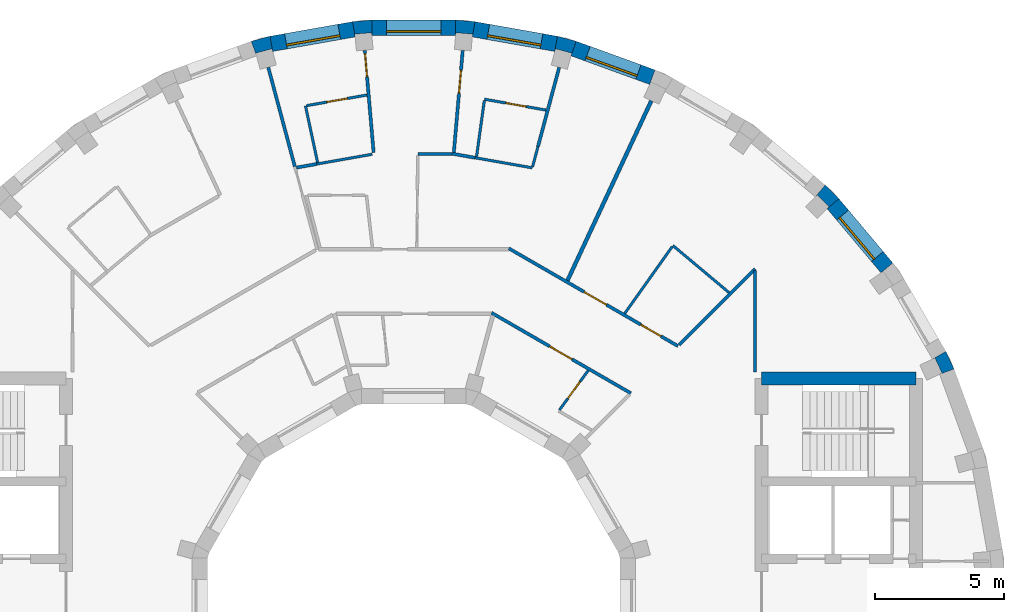
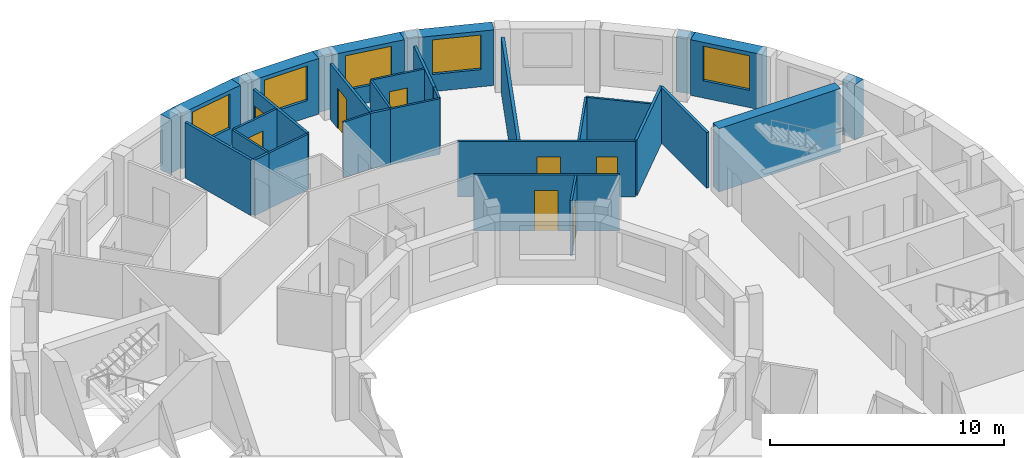
# One storey, part 10 of 12: 34 walls, 8 doors, 5 windows, 13 openings.
"""IFC4 building model written with IfcOpenShell, lengths in metres."""

from ifc_helpers import new_model, si_unit, direction, frame, frame_2d, origin, place, context, subcontext, project, spatial, polyline, rectangle, outline, extrude, material, layer, layer_set, type_object, element, fill, save


model = new_model("IFC4")

# Units and contexts
model_context = context("Model", 3, precision=1e-05, world=origin(), true_north=direction((0.0, 1.0)))
body_context = subcontext(model_context, "Body", "Model", "MODEL_VIEW")
ifc_project = project(units=[si_unit("LENGTHUNIT", "METRE"), si_unit("AREAUNIT", "SQUARE_METRE"), si_unit("VOLUMEUNIT", "CUBIC_METRE"), si_unit("PLANEANGLEUNIT", "RADIAN"), si_unit("MASSUNIT", "GRAM", prefix="KILO")], contexts=[model_context])

# Site, building, storey
site_placement = place(None, origin())
site = spatial("IfcSite", under=ifc_project, at=site_placement, CompositionType="ELEMENT")
building_placement = place(site_placement, origin())
building = spatial("IfcBuilding", under=site, at=building_placement, Name="Saqina Gate Tower", CompositionType="ELEMENT")
storey_placement = place(building_placement, frame((0.0, 0.0, 269.300048828125)))
storey = spatial("IfcBuildingStorey", under=building, at=storey_placement, Name="L77", CompositionType="ELEMENT", Elevation=269.300048828125)

# Walls
ifc_material_1 = material(Name="Brick masonry (buff)", Category="masonry")
wall_type_1 = type_object("IfcWallType", Name="BRICK PIER COPING BUFF", PredefinedType="SOLIDWALL", material=ifc_material_1)
wall_1_placement = place(storey_placement, origin())
element("IfcWall", 1, at=wall_1_placement, inside=storey, type_object=wall_type_1, Name="Pier cap L77 column 3", PredefinedType="SOLIDWALL", context=body_context, shape_type="SweptSolid", body=[
    extrude(outline(polyline([(20.974609375, 9.3642578125), (20.65576171875, 10.048095703125), (20.135986328125, 9.748291015625), (20.23193359375, 9.79296875), (20.506591796875, 9.203857421875), (20.410888671875, 9.1591796875), (20.974609375, 9.3642578125)])), origin(), (0.0, 0.0, 1.0), 2.89990234375),
])
wall_2_placement = place(storey_placement, origin())
element("IfcWall", 2, at=wall_2_placement, inside=storey, type_object=wall_type_1, Name="Pier cap L77 column 5", PredefinedType="SOLIDWALL", context=body_context, shape_type="SweptSolid", body=[
    extrude(outline(polyline([(15.973388671875, 16.5068359375), (15.587646484375, 16.04736328125), (15.662353515625, 16.1220703125), (16.1220703125, 15.662353515625), (16.04736328125, 15.587646484375), (16.5068359375, 15.973388671875), (15.973388671875, 16.5068359375)])), origin(), (0.0, 0.0, 1.0), 2.89990234375),
])
wall_3_placement = place(storey_placement, origin())
element("IfcWall", 3, at=wall_3_placement, inside=storey, type_object=wall_type_1, Name="Pier cap L77 column 8", PredefinedType="SOLIDWALL", context=body_context, shape_type="SweptSolid", body=[
    extrude(outline(polyline([(5.579833984375, 22.281982421875), (5.4755859375, 21.691162109375), (5.5029296875, 21.793212890625), (6.130859375, 21.625), (6.103515625, 21.52294921875), (6.30859375, 22.0869140625), (5.579833984375, 22.281982421875)])), origin(), (0.0, 0.0, 1.0), 2.89990234375),
])
wall_4_placement = place(storey_placement, origin())
element("IfcWall", 4, at=wall_4_placement, inside=storey, type_object=wall_type_1, Name="Pier cap L77 column 9", PredefinedType="SOLIDWALL", context=body_context, shape_type="SweptSolid", body=[
    extrude(outline(polyline([(2.377685546875, 22.8466796875), (1.625732421875, 22.91259765625), (1.625732421875, 22.3125), (1.635009765625, 22.417724609375), (2.28271484375, 22.361083984375), (2.2734375, 22.255859375), (2.377685546875, 22.8466796875)])), origin(), (0.0, 0.0, 1.0), 2.89990234375),
])
wall_5_placement = place(storey_placement, origin())
element("IfcWall", 5, at=wall_5_placement, inside=storey, type_object=wall_type_1, Name="Pier cap L77 column 10", PredefinedType="SOLIDWALL", context=body_context, shape_type="SweptSolid", body=[
    extrude(outline(polyline([(-1.625732421875, 22.91259765625), (-2.377685546875, 22.8466796875), (-2.2734375, 22.255859375), (-2.28271484375, 22.361083984375), (-1.635009765625, 22.417724609375), (-1.625732421875, 22.3125), (-1.625732421875, 22.91259765625)])), origin(), (0.0, 0.0, 1.0), 2.89990234375),
])
wall_6_placement = place(storey_placement, origin())
element("IfcWall", 6, at=wall_6_placement, inside=storey, type_object=wall_type_1, Name="Pier cap L77 column 11", PredefinedType="SOLIDWALL", context=body_context, shape_type="SweptSolid", body=[
    extrude(outline(polyline([(-6.30859375, 22.0869140625), (-6.103515625, 21.52294921875), (-6.130859375, 21.625), (-5.5029296875, 21.793212890625), (-5.4755859375, 21.691162109375), (-5.579833984375, 22.281982421875), (-6.30859375, 22.0869140625)])), origin(), (0.0, 0.0, 1.0), 2.89990234375),
])

# Wall, opening, window
ifc_material_2 = material(Name="Brick masonry (buff)", Category="masonry")
ifc_layer_1 = layer(ifc_material_2, 0.60009765625)
ifc_layer_set_1 = layer_set([ifc_layer_1], Name="FW-BRICK-BUFF")
wall_type_2 = type_object("IfcWallType", Name="FW-BRICK-BUFF", PredefinedType="SOLIDWALL", material=ifc_layer_set_1)
wall_7_placement = place(storey_placement, frame((18.3671875, 13.28955078125, 0.0), z_axis=(0.0, 0.0, 1.0), x_axis=(-0.64277291405, 0.766056773982, 0.0)))
wall_7 = element("IfcWall", 7, at=wall_7_placement, inside=storey, type_object=wall_type_2, Name="Facade wall L77 facet 4", PredefinedType="SOLIDWALL", context=body_context, shape_type="SweptSolid", body=[
    extrude(rectangle(XDim=3.251708984375, YDim=0.60009765625, at=frame_2d((1.6259765625, 0.0))), origin(), (0.0, 0.0, 1.0), 2.89990234375),
])
opening_1_placement = place(wall_7_placement, frame((0.57568359375, 0.0, 0.89990234375)))
opening_1 = element("IfcOpeningElement", 8, at=opening_1_placement, cuts=wall_7, Name="Opening G23-W02", PredefinedType="OPENING", context=body_context, shape_type="SweptSolid", body=[
    extrude(rectangle(XDim=2.10009765625, YDim=1.800048828125, at=frame_2d((1.050048828125, 0.89990234375))), frame((0.0, 0.31201171875, 0.0), z_axis=(0.0, -1.0, 0.0), x_axis=(1.0, 0.0, 0.0)), (0.0, 0.0, 1.0), 0.6240234375),
])
ifc_material_3 = material(Name="Aluminium glazing", Category="aluminium")
window_type = type_object("IfcWindowType", Name="WN-D", PartitioningType="SINGLE_PANEL", PredefinedType="WINDOW", material=ifc_material_3)
window_1_placement = place(opening_1_placement, origin())
window_1 = element("IfcWindow", 9, at=window_1_placement, inside=storey, type_object=window_type, Name="Window L77 facet 4", OverallHeight=1.800048828125, OverallWidth=2.10009765625, PartitioningType="SINGLE_PANEL", PredefinedType="WINDOW", context=body_context, shape_type="SweptSolid", body=[
    extrude(rectangle(XDim=2.10009765625, YDim=1.800048828125, at=frame_2d((1.050048828125, 0.89990234375))), frame((0.0, 0.179931640625, 0.0), z_axis=(0.0, -1.0, 0.0), x_axis=(1.0, 0.0, 0.0)), (0.0, 0.0, 1.0), 0.06005859375),
])
fill(opening_1, window_1)

wall_8_placement = place(storey_placement, frame((9.26171875, 20.692626953125, 0.0), z_axis=(0.0, 0.0, 1.0), x_axis=(-0.939679383794, 0.342056509473, 0.0)))
wall_8 = element("IfcWall", 10, at=wall_8_placement, inside=storey, type_object=wall_type_2, Name="Facade wall L77 facet 7", PredefinedType="SOLIDWALL", context=body_context, shape_type="SweptSolid", body=[
    extrude(rectangle(XDim=3.251708984375, YDim=0.60009765625, at=frame_2d((1.6259765625, 0.0))), origin(), (0.0, 0.0, 1.0), 2.89990234375),
])
opening_2_placement = place(wall_8_placement, frame((0.57568359375, 0.0, 0.89990234375)))
opening_2 = element("IfcOpeningElement", 11, at=opening_2_placement, cuts=wall_8, Name="Opening G23-W05", PredefinedType="OPENING", context=body_context, shape_type="SweptSolid", body=[
    extrude(rectangle(XDim=2.10009765625, YDim=1.800048828125, at=frame_2d((1.050048828125, 0.89990234375))), frame((0.0, 0.31201171875, 0.0), z_axis=(0.0, -1.0, 0.0), x_axis=(1.0, 0.0, 0.0)), (0.0, 0.0, 1.0), 0.6240234375),
])
window_2_placement = place(opening_2_placement, origin())
window_2 = element("IfcWindow", 12, at=window_2_placement, inside=storey, type_object=window_type, Name="Window L77 facet 7", OverallHeight=1.800048828125, OverallWidth=2.10009765625, PartitioningType="SINGLE_PANEL", PredefinedType="WINDOW", context=body_context, shape_type="SweptSolid", body=[
    extrude(rectangle(XDim=2.10009765625, YDim=1.800048828125, at=frame_2d((1.050048828125, 0.89990234375))), frame((0.0, 0.179931640625, 0.0), z_axis=(0.0, -1.0, 0.0), x_axis=(1.0, 0.0, 0.0)), (0.0, 0.0, 1.0), 0.06005859375),
])
fill(opening_2, window_2)

wall_9_placement = place(storey_placement, frame((5.52783203125, 21.986572265625, 0.0), z_axis=(0.0, 0.0, 1.0), x_axis=(-0.984806225186, 0.173656842178, 0.0)))
wall_9 = element("IfcWall", 13, at=wall_9_placement, inside=storey, type_object=wall_type_2, Name="Facade wall L77 facet 8", PredefinedType="SOLIDWALL", context=body_context, shape_type="SweptSolid", body=[
    extrude(rectangle(XDim=3.251708984375, YDim=0.60009765625, at=frame_2d((1.6259765625, 0.0))), origin(), (0.0, 0.0, 1.0), 2.89990234375),
])
opening_3_placement = place(wall_9_placement, frame((0.57568359375, 0.0, 0.89990234375)))
opening_3 = element("IfcOpeningElement", 14, at=opening_3_placement, cuts=wall_9, Name="Opening G23-W06", PredefinedType="OPENING", context=body_context, shape_type="SweptSolid", body=[
    extrude(rectangle(XDim=2.10009765625, YDim=1.800048828125, at=frame_2d((1.050048828125, 0.89990234375))), frame((0.0, 0.31201171875, 0.0), z_axis=(0.0, -1.0, 0.0), x_axis=(1.0, 0.0, 0.0)), (0.0, 0.0, 1.0), 0.6240234375),
])
window_3_placement = place(opening_3_placement, origin())
window_3 = element("IfcWindow", 15, at=window_3_placement, inside=storey, type_object=window_type, Name="Window L77 facet 8", OverallHeight=1.800048828125, OverallWidth=2.10009765625, PartitioningType="SINGLE_PANEL", PredefinedType="WINDOW", context=body_context, shape_type="SweptSolid", body=[
    extrude(rectangle(XDim=2.10009765625, YDim=1.800048828125, at=frame_2d((1.050048828125, 0.89990234375))), frame((0.0, 0.179931640625, 0.0), z_axis=(0.0, -1.0, 0.0), x_axis=(1.0, 0.0, 0.0)), (0.0, 0.0, 1.0), 0.06005859375),
])
fill(opening_3, window_3)

wall_10_placement = place(storey_placement, frame((1.625732421875, 22.612548828125, 0.0), z_axis=(0.0, 0.0, 1.0), x_axis=(-1.0, 0.0, 0.0)))
wall_10 = element("IfcWall", 16, at=wall_10_placement, inside=storey, type_object=wall_type_2, Name="Facade wall L77 facet 9", PredefinedType="SOLIDWALL", context=body_context, shape_type="SweptSolid", body=[
    extrude(rectangle(XDim=3.25146484375, YDim=0.60009765625, at=frame_2d((1.625732421875, 0.0))), origin(), (0.0, 0.0, 1.0), 2.89990234375),
])
opening_4_placement = place(wall_10_placement, frame((0.57568359375, 0.0, 0.89990234375)))
opening_4 = element("IfcOpeningElement", 17, at=opening_4_placement, cuts=wall_10, Name="Opening G23-W07", PredefinedType="OPENING", context=body_context, shape_type="SweptSolid", body=[
    extrude(rectangle(XDim=2.10009765625, YDim=1.800048828125, at=frame_2d((1.050048828125, 0.89990234375))), frame((0.0, 0.31201171875, 0.0), z_axis=(0.0, -1.0, 0.0), x_axis=(1.0, 0.0, 0.0)), (0.0, 0.0, 1.0), 0.6240234375),
])
window_4_placement = place(opening_4_placement, origin())
window_4 = element("IfcWindow", 18, at=window_4_placement, inside=storey, type_object=window_type, Name="Window L77 facet 9", OverallHeight=1.800048828125, OverallWidth=2.10009765625, PartitioningType="SINGLE_PANEL", PredefinedType="WINDOW", context=body_context, shape_type="SweptSolid", body=[
    extrude(rectangle(XDim=2.10009765625, YDim=1.800048828125, at=frame_2d((1.050048828125, 0.89990234375))), frame((0.0, 0.179931640625, 0.0), z_axis=(0.0, -1.0, 0.0), x_axis=(1.0, 0.0, 0.0)), (0.0, 0.0, 1.0), 0.06005859375),
])
fill(opening_4, window_4)

wall_11_placement = place(storey_placement, frame((-2.325439453125, 22.55126953125, 0.0), z_axis=(0.0, 0.0, 1.0), x_axis=(-0.984806225186, -0.173656842178, 0.0)))
wall_11 = element("IfcWall", 19, at=wall_11_placement, inside=storey, type_object=wall_type_2, Name="Facade wall L77 facet 10", PredefinedType="SOLIDWALL", context=body_context, shape_type="SweptSolid", body=[
    extrude(rectangle(XDim=3.251708984375, YDim=0.60009765625, at=frame_2d((1.6259765625, 0.0))), origin(), (0.0, 0.0, 1.0), 2.89990234375),
])
opening_5_placement = place(wall_11_placement, frame((0.57568359375, 0.0, 0.89990234375)))
opening_5 = element("IfcOpeningElement", 20, at=opening_5_placement, cuts=wall_11, Name="Opening G23-W08", PredefinedType="OPENING", context=body_context, shape_type="SweptSolid", body=[
    extrude(rectangle(XDim=2.10009765625, YDim=1.800048828125, at=frame_2d((1.050048828125, 0.89990234375))), frame((0.0, 0.31201171875, 0.0), z_axis=(0.0, -1.0, 0.0), x_axis=(1.0, 0.0, 0.0)), (0.0, 0.0, 1.0), 0.6240234375),
])
window_5_placement = place(opening_5_placement, origin())
window_5 = element("IfcWindow", 21, at=window_5_placement, inside=storey, type_object=window_type, Name="Window L77 facet 10", OverallHeight=1.800048828125, OverallWidth=2.10009765625, PartitioningType="SINGLE_PANEL", PredefinedType="WINDOW", context=body_context, shape_type="SweptSolid", body=[
    extrude(rectangle(XDim=2.10009765625, YDim=1.800048828125, at=frame_2d((1.050048828125, 0.89990234375))), frame((0.0, 0.179931640625, 0.0), z_axis=(0.0, -1.0, 0.0), x_axis=(1.0, 0.0, 0.0)), (0.0, 0.0, 1.0), 0.06005859375),
])
fill(opening_5, window_5)

# Walls
ifc_material_4 = material(Name="Gypsum board on steel studs, 100 mm", Category="steel")
ifc_layer_2 = layer(ifc_material_4, 0.10009765625)
ifc_layer_set_2 = layer_set([ifc_layer_2], Name="PARTITION 100")
wall_type_3 = type_object("IfcWallType", Name="PARTITION 100", PredefinedType="PARTITIONING", material=ifc_layer_set_2)
wall_12_placement = place(storey_placement, frame((-4.202880859375, 19.580078125, 0.0), z_axis=(0.0, 0.0, 1.0), x_axis=(0.209840128727, -0.977735710904, 0.0)))
element("IfcWall", 22, at=wall_12_placement, inside=storey, type_object=wall_type_3, Name="PARTITION PW3-04", PredefinedType="PARTITIONING", context=body_context, shape_type="SweptSolid", body=[
    extrude(rectangle(XDim=2.251220703125, YDim=0.10009765625, at=frame_2d((1.12548828125, 0.0))), origin(), (0.0, 0.0, 1.0), 2.89990234375),
])
wall_13_placement = place(storey_placement, frame((10.06298828125, 14.156005859375, 0.0), z_axis=(0.0, 0.0, 1.0), x_axis=(0.766190179172, -0.642613888225, 0.0)))
element("IfcWall", 23, at=wall_13_placement, inside=storey, type_object=wall_type_3, Name="PARTITION PW3-17", PredefinedType="PARTITIONING", context=body_context, shape_type="SweptSolid", body=[
    extrude(rectangle(XDim=2.843017578125, YDim=0.10009765625, at=frame_2d((1.42138671875, 0.0))), origin(), (0.0, 0.0, 1.0), 2.89990234375),
])
wall_14_placement = place(storey_placement, frame((2.3818359375, 17.565673828125, 0.0), z_axis=(0.0, 0.0, 1.0), x_axis=(0.984785740028, -0.173772973268, 0.0)))
element("IfcWall", 24, at=wall_14_placement, inside=storey, type_object=wall_type_3, Name="PARTITION PW3-23", PredefinedType="PARTITIONING", context=body_context, shape_type="SweptSolid", body=[
    extrude(rectangle(XDim=2.25341796875, YDim=0.10009765625, at=frame_2d((1.126708984375, 0.0))), origin(), (0.0, 0.0, 1.0), 2.89990234375),
])

# Wall, opening, door
wall_15_placement = place(storey_placement, frame((2.7470703125, 19.8369140625, 0.0), z_axis=(0.0, 0.0, 1.0), x_axis=(0.984763301444, -0.17390008663, 0.0)))
wall_15 = element("IfcWall", 25, at=wall_15_placement, inside=storey, type_object=wall_type_3, Name="PARTITION PW3-24", PredefinedType="PARTITIONING", context=body_context, shape_type="SweptSolid", body=[
    extrude(rectangle(XDim=2.42724609375, YDim=0.10009765625, at=frame_2d((1.213623046875, 0.0))), origin(), (0.0, 0.0, 1.0), 2.89990234375),
])
opening_6_placement = place(wall_15_placement, frame((0.844970703125, 0.0, 0.0)))
opening_6 = element("IfcOpeningElement", 26, at=opening_6_placement, cuts=wall_15, Name="Opening G23-D05", PredefinedType="OPENING", context=body_context, shape_type="SweptSolid", body=[
    extrude(rectangle(XDim=0.800048828125, YDim=2.10009765625, at=frame_2d((0.39990234375, 1.050048828125))), frame((0.0, 0.06201171875, 0.0), z_axis=(0.0, -1.0, 0.0), x_axis=(1.0, 0.0, 0.0)), (0.0, 0.0, 1.0), 0.1240234375),
])
ifc_material_5 = material(Name="Timber door leaf, 800 mm", Category="wood")
door_type_1 = type_object("IfcDoorType", Name="DOOR 800 TIMBER", OperationType="SINGLE_SWING_LEFT", PredefinedType="DOOR", material=ifc_material_5)
door_1_placement = place(opening_6_placement, origin())
door_1 = element("IfcDoor", 27, at=door_1_placement, inside=storey, type_object=door_type_1, Name="DOOR G23-D05", OperationType="SINGLE_SWING_RIGHT", OverallHeight=2.10009765625, OverallWidth=0.800048828125, PredefinedType="DOOR", context=body_context, shape_type="SweptSolid", body=[
    extrude(rectangle(XDim=0.800048828125, YDim=2.10009765625, at=frame_2d((0.39990234375, 1.050048828125))), frame((0.0, 0.02490234375, 0.0), z_axis=(0.0, -1.0, 0.0), x_axis=(1.0, 0.0, 0.0)), (0.0, 0.0, 1.0), 0.050048828125),
])
fill(opening_6, door_1)

# Walls
wall_16_placement = place(storey_placement, frame((0.156982421875, 17.7119140625, 0.0), z_axis=(0.0, 0.0, 1.0), x_axis=(1.0, 0.0, 0.0)))
element("IfcWall", 28, at=wall_16_placement, inside=storey, type_object=wall_type_3, Name="PARTITION PW3-28", PredefinedType="PARTITIONING", context=body_context, shape_type="SweptSolid", body=[
    extrude(rectangle(XDim=1.32958984375, YDim=0.10009765625, at=frame_2d((0.664794921875, 0.0))), origin(), (0.0, 0.0, 1.0), 2.89990234375),
])
wall_17_placement = place(storey_placement, frame((-3.76904296875, 17.32080078125, 0.0), z_axis=(0.0, 0.0, 1.0), x_axis=(0.984849681909, 0.173410218971, 0.0)))
element("IfcWall", 29, at=wall_17_placement, inside=storey, type_object=wall_type_3, Name="PARTITION PW3-31", PredefinedType="PARTITIONING", context=body_context, shape_type="SweptSolid", body=[
    extrude(rectangle(XDim=2.190673828125, YDim=0.10009765625, at=frame_2d((1.09521484375, 0.0))), origin(), (0.0, 0.0, 1.0), 2.89990234375),
])

# Wall, opening, door
wall_18_placement = place(storey_placement, frame((-4.15380859375, 19.588623046875, 0.0), z_axis=(0.0, 0.0, 1.0), x_axis=(0.984824883782, 0.173550996204, 0.0)))
wall_18 = element("IfcWall", 30, at=wall_18_placement, inside=storey, type_object=wall_type_3, Name="PARTITION PW3-32", PredefinedType="PARTITIONING", context=body_context, shape_type="SweptSolid", body=[
    extrude(rectangle(XDim=2.37744140625, YDim=0.10009765625, at=frame_2d((1.188720703125, 0.0))), origin(), (0.0, 0.0, 1.0), 2.89990234375),
])
opening_7_placement = place(wall_18_placement, frame((0.794921875, 0.0, 0.0)))
opening_7 = element("IfcOpeningElement", 31, at=opening_7_placement, cuts=wall_18, Name="Opening G23-D13", PredefinedType="OPENING", context=body_context, shape_type="SweptSolid", body=[
    extrude(rectangle(XDim=0.800048828125, YDim=2.10009765625, at=frame_2d((0.39990234375, 1.050048828125))), frame((0.0, 0.06201171875, 0.0), z_axis=(0.0, -1.0, 0.0), x_axis=(1.0, 0.0, 0.0)), (0.0, 0.0, 1.0), 0.1240234375),
])
door_2_placement = place(opening_7_placement, origin())
door_2 = element("IfcDoor", 32, at=door_2_placement, inside=storey, type_object=door_type_1, Name="DOOR G23-D13", OperationType="SINGLE_SWING_RIGHT", OverallHeight=2.10009765625, OverallWidth=0.800048828125, PredefinedType="DOOR", context=body_context, shape_type="SweptSolid", body=[
    extrude(rectangle(XDim=0.800048828125, YDim=2.10009765625, at=frame_2d((0.39990234375, 1.050048828125))), frame((0.0, 0.02490234375, 0.0), z_axis=(0.0, -1.0, 0.0), x_axis=(1.0, 0.0, 0.0)), (0.0, 0.0, 1.0), 0.050048828125),
])
fill(opening_7, door_2)

wall_19_placement = place(storey_placement, frame((5.655517578125, 7.7734375, 0.0), z_axis=(0.0, 0.0, 1.0), x_axis=(0.588645610209, 0.808391208254, 0.0)))
wall_19 = element("IfcWall", 33, at=wall_19_placement, inside=storey, type_object=wall_type_3, Name="PARTITION PW3-41", PredefinedType="PARTITIONING", context=body_context, shape_type="SweptSolid", body=[
    extrude(rectangle(XDim=1.898681640625, YDim=0.10009765625, at=frame_2d((0.94921875, 0.0))), origin(), (0.0, 0.0, 1.0), 2.89990234375),
])
opening_8_placement = place(wall_19_placement, frame((0.5556640625, 0.0, 0.0)))
opening_8 = element("IfcOpeningElement", 34, at=opening_8_placement, cuts=wall_19, Name="Opening G23-D02", PredefinedType="OPENING", context=body_context, shape_type="SweptSolid", body=[
    extrude(rectangle(XDim=0.800048828125, YDim=2.10009765625, at=frame_2d((0.39990234375, 1.050048828125))), frame((0.0, 0.06201171875, 0.0), z_axis=(0.0, -1.0, 0.0), x_axis=(1.0, 0.0, 0.0)), (0.0, 0.0, 1.0), 0.1240234375),
])
door_3_placement = place(opening_8_placement, origin())
door_3 = element("IfcDoor", 35, at=door_3_placement, inside=storey, type_object=door_type_1, Name="DOOR G23-D02", OperationType="SINGLE_SWING_RIGHT", OverallHeight=2.10009765625, OverallWidth=0.800048828125, PredefinedType="DOOR", context=body_context, shape_type="SweptSolid", body=[
    extrude(rectangle(XDim=0.800048828125, YDim=2.10009765625, at=frame_2d((0.39990234375, 1.050048828125))), frame((0.0, 0.02490234375, 0.0), z_axis=(0.0, -1.0, 0.0), x_axis=(1.0, 0.0, 0.0)), (0.0, 0.0, 1.0), 0.050048828125),
])
fill(opening_8, door_3)

# Walls
wall_20_placement = place(storey_placement, frame((8.190185546875, 11.52099609375, 0.0), z_axis=(0.0, 0.0, 1.0), x_axis=(0.579306394217, 0.815109870888, 0.0)))
element("IfcWall", 36, at=wall_20_placement, inside=storey, type_object=wall_type_3, Name="PARTITION PW3-43", PredefinedType="PARTITIONING", context=body_context, shape_type="SweptSolid", body=[
    extrude(rectangle(XDim=3.1826171875, YDim=0.10009765625, at=frame_2d((1.59130859375, 0.0))), origin(), (0.0, 0.0, 1.0), 2.89990234375),
])
wall_21_placement = place(storey_placement, frame((4.614990234375, 17.222412109375, 0.0), z_axis=(0.0, 0.0, 1.0), x_axis=(0.258549220772, 0.965998085111, 0.0)))
element("IfcWall", 37, at=wall_21_placement, inside=storey, type_object=wall_type_3, Name="PARTITION PW3-49", PredefinedType="PARTITIONING", context=body_context, shape_type="SweptSolid", body=[
    extrude(rectangle(XDim=0.805419921875, YDim=0.10009765625, at=frame_2d((0.40283203125, 0.0))), origin(), (0.0, 0.0, 1.0), 2.89990234375),
])
wall_22_placement = place(storey_placement, frame((2.439697265625, 17.618896484375, 0.0), z_axis=(0.0, 0.0, 1.0), x_axis=(0.137282681999, 0.99053191025, 0.0)))
element("IfcWall", 38, at=wall_22_placement, inside=storey, type_object=wall_type_3, Name="PARTITION PW3-50", PredefinedType="PARTITIONING", context=body_context, shape_type="SweptSolid", body=[
    extrude(rectangle(XDim=2.189208984375, YDim=0.10009765625, at=frame_2d((1.0947265625, 0.0))), origin(), (0.0, 0.0, 1.0), 2.89990234375),
])

# Wall, opening, door
ifc_material_6 = material(Name="Gypsum board on steel studs, 125 mm, fire rated", Category="steel")
ifc_layer_3 = layer(ifc_material_6, 0.125)
ifc_layer_set_3 = layer_set([ifc_layer_3], Name="PARTITION EI 30 125")
wall_type_4 = type_object("IfcWallType", Name="PARTITION EI 30 125", PredefinedType="PARTITIONING", material=ifc_layer_set_3)
wall_23_placement = place(storey_placement, frame((-1.901611328125, 21.73193359375, 0.0), z_axis=(0.0, 0.0, 1.0), x_axis=(0.086666644389, -0.996237367674, 0.0)))
wall_23 = element("IfcWall", 39, at=wall_23_placement, inside=storey, type_object=wall_type_4, Name="PARTITION PW1-01", PredefinedType="PARTITIONING", context=body_context, shape_type="SweptSolid", body=[
    extrude(rectangle(XDim=3.983154296875, YDim=0.125, at=frame_2d((1.99169921875, 0.0))), origin(), (0.0, 0.0, 1.0), 2.89990234375),
])
opening_9_placement = place(wall_23_placement, frame((0.122314453125, 0.0, 0.0)))
opening_9 = element("IfcOpeningElement", 40, at=opening_9_placement, cuts=wall_23, Name="Opening G23-D11", PredefinedType="OPENING", context=body_context, shape_type="SweptSolid", body=[
    extrude(rectangle(XDim=0.89990234375, YDim=2.10009765625, at=frame_2d((0.449951171875, 1.050048828125))), frame((0.0, 0.074462890625, 0.0), z_axis=(0.0, -1.0, 0.0), x_axis=(1.0, 0.0, 0.0)), (0.0, 0.0, 1.0), 0.14892578125),
])
ifc_material_7 = material(Name="Fire door leaf EI 30, 900 mm")
door_type_2 = type_object("IfcDoorType", Name="DOOR 900 EI 30", OperationType="SINGLE_SWING_LEFT", PredefinedType="DOOR", material=ifc_material_7)
door_4_placement = place(opening_9_placement, origin())
door_4 = element("IfcDoor", 41, at=door_4_placement, inside=storey, type_object=door_type_2, Name="DOOR G23-D11", OperationType="SINGLE_SWING_LEFT", OverallHeight=2.10009765625, OverallWidth=0.89990234375, PredefinedType="DOOR", context=body_context, shape_type="SweptSolid", body=[
    extrude(rectangle(XDim=0.89990234375, YDim=2.10009765625, at=frame_2d((0.449951171875, 1.050048828125))), frame((0.0, 0.02490234375, 0.0), z_axis=(0.0, -1.0, 0.0), x_axis=(1.0, 0.0, 0.0)), (0.0, 0.0, 1.0), 0.050048828125),
])
fill(opening_9, door_4)

# Wall
wall_24_placement = place(storey_placement, frame((-5.64599609375, 21.07177734375, 0.0), z_axis=(0.0, 0.0, 1.0), x_axis=(0.258718732156, -0.965952699479, 0.0)))
element("IfcWall", 42, at=wall_24_placement, inside=storey, type_object=wall_type_4, Name="PARTITION PW1-04", PredefinedType="PARTITIONING", context=body_context, shape_type="SweptSolid", body=[
    extrude(rectangle(XDim=3.985107421875, YDim=0.125, at=frame_2d((1.99267578125, 0.0))), origin(), (0.0, 0.0, 1.0), 2.89990234375),
])

# Wall, opening, door
wall_25_placement = place(storey_placement, frame((3.021484375, 11.546142578125, 0.0), z_axis=(0.0, 0.0, 1.0), x_axis=(0.866039004929, -0.499976441387, 0.0)))
wall_25 = element("IfcWall", 43, at=wall_25_placement, inside=storey, type_object=wall_type_4, Name="PARTITION PW1-15", PredefinedType="PARTITIONING", context=body_context, shape_type="SweptSolid", body=[
    extrude(rectangle(XDim=6.240478515625, YDim=0.125, at=frame_2d((3.1201171875, 0.0))), origin(), (0.0, 0.0, 1.0), 2.89990234375),
])
opening_10_placement = place(wall_25_placement, frame((2.606201171875, 0.0, 0.0)))
opening_10 = element("IfcOpeningElement", 44, at=opening_10_placement, cuts=wall_25, Name="Opening G23-D04", PredefinedType="OPENING", context=body_context, shape_type="SweptSolid", body=[
    extrude(rectangle(XDim=1.0, YDim=2.10009765625, at=frame_2d((0.5, 1.050048828125))), frame((0.0, 0.074462890625, 0.0), z_axis=(0.0, -1.0, 0.0), x_axis=(1.0, 0.0, 0.0)), (0.0, 0.0, 1.0), 0.14892578125),
])
ifc_material_8 = material(Name="Fire door leaf EI 30, 1000 mm")
door_type_3 = type_object("IfcDoorType", Name="DOOR 1000 EI 30", OperationType="SINGLE_SWING_LEFT", PredefinedType="DOOR", material=ifc_material_8)
door_5_placement = place(opening_10_placement, frame((1.0, 0.0, 0.0), z_axis=(0.0, 0.0, 1.0), x_axis=(-1.0, 0.0, 0.0)))
door_5 = element("IfcDoor", 45, at=door_5_placement, inside=storey, type_object=door_type_3, Name="DOOR G23-D04", OperationType="SINGLE_SWING_RIGHT", OverallHeight=2.10009765625, OverallWidth=1.0, PredefinedType="DOOR", context=body_context, shape_type="SweptSolid", body=[
    extrude(rectangle(XDim=1.0, YDim=2.10009765625, at=frame_2d((0.5, 1.050048828125))), frame((0.0, 0.02490234375, 0.0), z_axis=(0.0, -1.0, 0.0), x_axis=(1.0, 0.0, 0.0)), (0.0, 0.0, 1.0), 0.050048828125),
])
fill(opening_10, door_5)

# Wall, openings, doors
wall_26_placement = place(storey_placement, frame((3.6904296875, 14.046630859375, 0.0), z_axis=(0.0, 0.0, 1.0), x_axis=(0.86603489676, -0.499983557323, 0.0)))
wall_26 = element("IfcWall", 46, at=wall_26_placement, inside=storey, type_object=wall_type_4, Name="PARTITION PW1-16", PredefinedType="PARTITIONING", context=body_context, shape_type="SweptSolid", body=[
    extrude(rectangle(XDim=7.581298828125, YDim=0.125, at=frame_2d((3.79052734375, 0.0))), origin(), (0.0, 0.0, 1.0), 2.89990234375),
])
opening_11_placement = place(wall_26_placement, frame((5.91748046875, 0.0, 0.0)))
opening_11 = element("IfcOpeningElement", 47, at=opening_11_placement, cuts=wall_26, Name="Opening G23-D01", PredefinedType="OPENING", context=body_context, shape_type="SweptSolid", body=[
    extrude(rectangle(XDim=0.89990234375, YDim=2.10009765625, at=frame_2d((0.449951171875, 1.050048828125))), frame((0.0, 0.074462890625, 0.0), z_axis=(0.0, -1.0, 0.0), x_axis=(1.0, 0.0, 0.0)), (0.0, 0.0, 1.0), 0.14892578125),
])
opening_12_placement = place(wall_26_placement, frame((3.37744140625, 0.0, 0.0)))
opening_12 = element("IfcOpeningElement", 48, at=opening_12_placement, cuts=wall_26, Name="Opening G23-D03", PredefinedType="OPENING", context=body_context, shape_type="SweptSolid", body=[
    extrude(rectangle(XDim=1.0, YDim=2.10009765625, at=frame_2d((0.5, 1.050048828125))), frame((0.0, 0.074462890625, 0.0), z_axis=(0.0, -1.0, 0.0), x_axis=(1.0, 0.0, 0.0)), (0.0, 0.0, 1.0), 0.14892578125),
])
door_6_placement = place(opening_12_placement, frame((1.0, 0.0, 0.0), z_axis=(0.0, 0.0, 1.0), x_axis=(-1.0, 0.0, 0.0)))
door_6 = element("IfcDoor", 49, at=door_6_placement, inside=storey, type_object=door_type_3, Name="DOOR G23-D03", OperationType="SINGLE_SWING_LEFT", OverallHeight=2.10009765625, OverallWidth=1.0, PredefinedType="DOOR", context=body_context, shape_type="SweptSolid", body=[
    extrude(rectangle(XDim=1.0, YDim=2.10009765625, at=frame_2d((0.5, 1.050048828125))), frame((0.0, 0.02490234375, 0.0), z_axis=(0.0, -1.0, 0.0), x_axis=(1.0, 0.0, 0.0)), (0.0, 0.0, 1.0), 0.050048828125),
])
fill(opening_12, door_6)
door_7_placement = place(opening_11_placement, origin())
door_7 = element("IfcDoor", 50, at=door_7_placement, inside=storey, type_object=door_type_2, Name="DOOR G23-D01", OperationType="SINGLE_SWING_RIGHT", OverallHeight=2.10009765625, OverallWidth=0.89990234375, PredefinedType="DOOR", context=body_context, shape_type="SweptSolid", body=[
    extrude(rectangle(XDim=0.89990234375, YDim=2.10009765625, at=frame_2d((0.449951171875, 1.050048828125))), frame((0.0, 0.02490234375, 0.0), z_axis=(0.0, -1.0, 0.0), x_axis=(1.0, 0.0, 0.0)), (0.0, 0.0, 1.0), 0.050048828125),
])
fill(opening_11, door_7)

# Walls
wall_27_placement = place(storey_placement, frame((1.486572265625, 17.72314453125, 0.0), z_axis=(0.0, 0.0, 1.0), x_axis=(0.984880741856, -0.173233727433, 0.0)))
element("IfcWall", 51, at=wall_27_placement, inside=storey, type_object=wall_type_4, Name="PARTITION PW1-17", PredefinedType="PARTITIONING", context=body_context, shape_type="SweptSolid", body=[
    extrude(rectangle(XDim=0.908935546875, YDim=0.125, at=frame_2d((0.45458984375, 0.0))), origin(), (0.0, 0.0, 1.0), 2.89990234375),
])
wall_28_placement = place(storey_placement, frame((-4.5517578125, 17.182861328125, 0.0), z_axis=(0.0, 0.0, 1.0), x_axis=(0.984709236114, 0.174205970944, 0.0)))
element("IfcWall", 52, at=wall_28_placement, inside=storey, type_object=wall_type_4, Name="PARTITION PW1-23", PredefinedType="PARTITIONING", context=body_context, shape_type="SweptSolid", body=[
    extrude(rectangle(XDim=0.794677734375, YDim=0.125, at=frame_2d((0.3974609375, 0.0))), origin(), (0.0, 0.0, 1.0), 2.89990234375),
])
wall_29_placement = place(storey_placement, frame((10.30029296875, 10.30029296875, 0.0), z_axis=(0.0, 0.0, 1.0), x_axis=(0.707106781187, 0.707106781187, 0.0)))
element("IfcWall", 53, at=wall_29_placement, inside=storey, type_object=wall_type_4, Name="PARTITION PW1-35", PredefinedType="PARTITIONING", context=body_context, shape_type="SweptSolid", body=[
    extrude(rectangle(XDim=4.171630859375, YDim=0.125, at=frame_2d((2.0859375, 0.0))), origin(), (0.0, 0.0, 1.0), 2.89990234375),
])
wall_30_placement = place(storey_placement, frame((4.8232421875, 18.00048828125, 0.0), z_axis=(0.0, 0.0, 1.0), x_axis=(0.258924151325, 0.965897657032, 0.0)))
element("IfcWall", 54, at=wall_30_placement, inside=storey, type_object=wall_type_4, Name="PARTITION PW1-37", PredefinedType="PARTITIONING", context=body_context, shape_type="SweptSolid", body=[
    extrude(rectangle(XDim=3.179443359375, YDim=0.125, at=frame_2d((1.58984375, 0.0))), origin(), (0.0, 0.0, 1.0), 2.89990234375),
])

# Wall, opening, door
wall_31_placement = place(storey_placement, frame((1.557373046875, 17.774169921875, 0.0), z_axis=(0.0, 0.0, 1.0), x_axis=(0.086650831404, 0.996238743182, 0.0)))
wall_31 = element("IfcWall", 55, at=wall_31_placement, inside=storey, type_object=wall_type_4, Name="PARTITION PW1-38", PredefinedType="PARTITIONING", context=body_context, shape_type="SweptSolid", body=[
    extrude(rectangle(XDim=3.97265625, YDim=0.125, at=frame_2d((1.986328125, 0.0))), origin(), (0.0, 0.0, 1.0), 2.89990234375),
])
opening_13_placement = place(wall_31_placement, frame((2.296875, 0.0, 0.0)))
opening_13 = element("IfcOpeningElement", 56, at=opening_13_placement, cuts=wall_31, Name="Opening G23-D06", PredefinedType="OPENING", context=body_context, shape_type="SweptSolid", body=[
    extrude(rectangle(XDim=0.89990234375, YDim=2.10009765625, at=frame_2d((0.449951171875, 1.050048828125))), frame((0.0, 0.074462890625, 0.0), z_axis=(0.0, -1.0, 0.0), x_axis=(1.0, 0.0, 0.0)), (0.0, 0.0, 1.0), 0.14892578125),
])
door_8_placement = place(opening_13_placement, origin())
door_8 = element("IfcDoor", 57, at=door_8_placement, inside=storey, type_object=door_type_2, Name="DOOR G23-D06", OperationType="SINGLE_SWING_RIGHT", OverallHeight=2.10009765625, OverallWidth=0.89990234375, PredefinedType="DOOR", context=body_context, shape_type="SweptSolid", body=[
    extrude(rectangle(XDim=0.89990234375, YDim=2.10009765625, at=frame_2d((0.449951171875, 1.050048828125))), frame((0.0, 0.02490234375, 0.0), z_axis=(0.0, -1.0, 0.0), x_axis=(1.0, 0.0, 0.0)), (0.0, 0.0, 1.0), 0.050048828125),
])
fill(opening_13, door_8)

# Walls
wall_32_placement = place(storey_placement, frame((13.25, 9.25, 0.0), z_axis=(0.0, 0.0, 1.0), x_axis=(0.0, 1.0, 0.0)))
element("IfcWall", 58, at=wall_32_placement, inside=storey, type_object=wall_type_4, Name="PARTITION PW1-40", PredefinedType="PARTITIONING", context=body_context, shape_type="SweptSolid", body=[
    extrude(rectangle(XDim=3.9375, YDim=0.125, at=frame_2d((1.96875, 0.0))), origin(), (0.0, 0.0, 1.0), 2.89990234375),
])
ifc_material_9 = material(Name="Gypsum board on steel studs, 150 mm, fire rated", Category="steel")
ifc_layer_4 = layer(ifc_material_9, 0.14990234375)
ifc_layer_set_4 = layer_set([ifc_layer_4], Name="PARTITION EI 60 150")
wall_type_5 = type_object("IfcWallType", Name="PARTITION EI 60 150", PredefinedType="PARTITIONING", material=ifc_layer_set_4)
wall_33_placement = place(storey_placement, frame((5.97021484375, 12.802490234375, 0.0), z_axis=(0.0, 0.0, 1.0), x_axis=(0.422558644833, 0.90633558447, 0.0)))
element("IfcWall", 59, at=wall_33_placement, inside=storey, type_object=wall_type_5, Name="PARTITION PW2-03", PredefinedType="PARTITIONING", context=body_context, shape_type="SweptSolid", body=[
    extrude(rectangle(XDim=7.68896484375, YDim=0.14990234375, at=frame_2d((3.844482421875, 0.0))), origin(), (0.0, 0.0, 1.0), 2.89990234375),
])
ifc_material_10 = material(Name="Concrete C60/75", Category="concrete")
ifc_layer_5 = layer(ifc_material_10, 0.5)
ifc_layer_set_5 = layer_set([ifc_layer_5], Name="Concrete C60/75")
wall_type_6 = type_object("IfcWallType", Name="STR-CORE WALL-D-O", PredefinedType="SHEAR", material=ifc_layer_set_5)
wall_34_placement = place(storey_placement, frame((13.5, 9.0, 0.0), z_axis=(0.0, 0.0, 1.0), x_axis=(1.0, 0.0, 0.0)))
element("IfcWall", 60, at=wall_34_placement, inside=storey, type_object=wall_type_6, Name="CORE WALL L77 E-NE", PredefinedType="SHEAR", context=body_context, shape_type="SweptSolid", body=[
    extrude(rectangle(XDim=6.0, YDim=0.5, at=frame_2d((3.0, 0.0))), origin(), (0.0, 0.0, 1.0), 3.300048828125),
])

save(model, "model.ifc")
